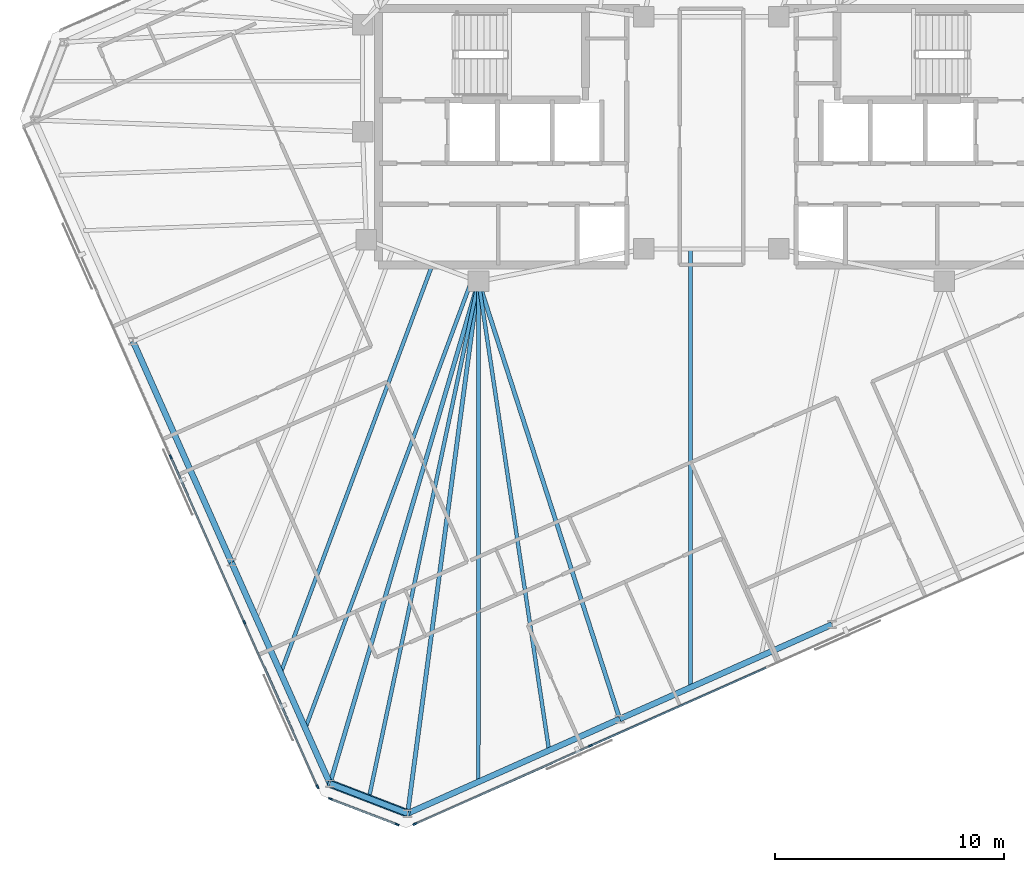
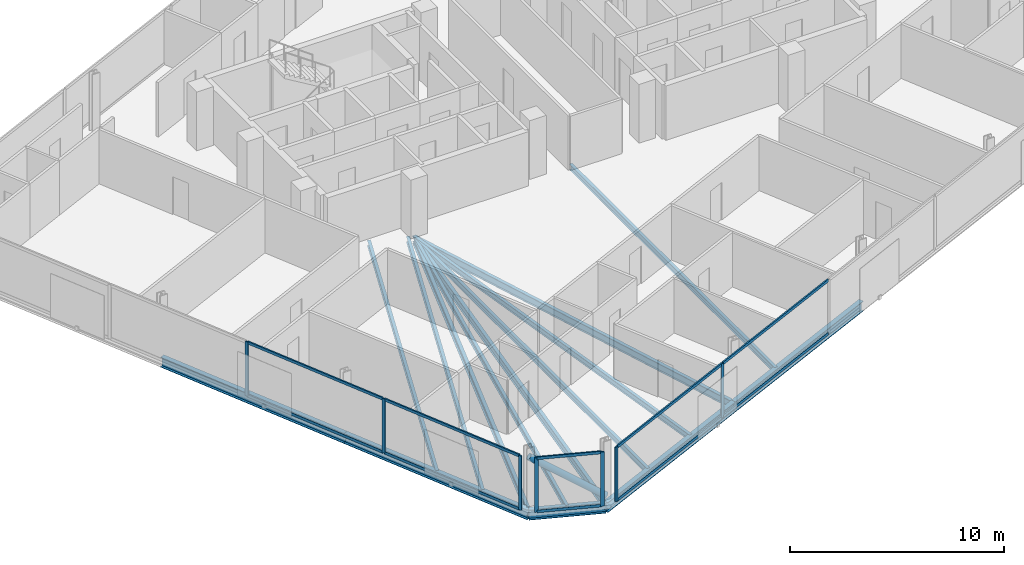
# One storey, part 5 of 18: 18 members, 14 beams, 3 elements without a shape of their own.
"""IFC4 building model written with IfcOpenShell, lengths in metres."""

from ifc_helpers import new_model, si_unit, direction, frame, origin, origin_2d, place, context, subcontext, project, spatial, rectangle, hollow_circle, i_section, extrude, material, material_profile, profile_set, type_object, element, aggregate, save


model = new_model("IFC4")

# Units and contexts
model_context = context("Model", 3, precision=1e-05, world=origin(), true_north=direction((0.0, 1.0)))
body_context = subcontext(model_context, "Body", "Model", "MODEL_VIEW")
ifc_project = project(units=[si_unit("LENGTHUNIT", "METRE"), si_unit("AREAUNIT", "SQUARE_METRE"), si_unit("VOLUMEUNIT", "CUBIC_METRE"), si_unit("PLANEANGLEUNIT", "RADIAN"), si_unit("MASSUNIT", "GRAM", prefix="KILO")], contexts=[model_context])

# Site, building, storey
site_placement = place(None, origin())
site = spatial("IfcSite", under=ifc_project, at=site_placement, CompositionType="ELEMENT")
building_placement = place(site_placement, origin())
building = spatial("IfcBuilding", under=site, at=building_placement, Name="Menara Jurai Vektor", CompositionType="ELEMENT")
storey_placement = place(building_placement, frame((0.0, 0.0, 272.25)))
storey = spatial("IfcBuildingStorey", under=building, at=storey_placement, Name="L73", CompositionType="ELEMENT", Elevation=272.25)

# Curtain wall, members
ifc_material_1 = material(Name="Anodised Pale Aluminium & Low-E Double Glazing", Category="aluminium")
curtain_wall_type = type_object("IfcCurtainWallType", Name="CW-BLK5", PredefinedType="NOTDEFINED", material=ifc_material_1)
curtain_wall_1_placement = place(storey_placement, origin())
curtain_wall_1 = element("IfcCurtainWall", 1, at=curtain_wall_1_placement, inside=storey, type_object=curtain_wall_type, Name="Unitised Curtain Wall L73 F01", PredefinedType="NOTDEFINED")
ifc_material_2 = material(Name="Anodised Pale Aluminium Mullion", Category="aluminium")
ifc_material_profile_1 = material_profile(ifc_material_2, rectangle(XDim=0.074951171875, YDim=0.175048828125, at=origin_2d()), Name="ALU MUL 75x175")
ifc_profile_set_1 = profile_set([ifc_material_profile_1], Name="Anodised Pale Aluminium Mullion")
member_type_1 = type_object("IfcMemberType", Name="CW-BLK5-MUL", PredefinedType="MULLION", material=ifc_profile_set_1)
member_1_placement = place(storey_placement, frame((-12.96875, -30.04052734375, 0.0), z_axis=(0.0, 0.0, 1.0), x_axis=(-0.406735498684, 0.913545967158, 0.0)))
member_1 = element("IfcMember", 2, at=member_1_placement, type_object=member_type_1, Name="CW-05 mullion 1", PredefinedType="MULLION", context=body_context, shape_type="SweptSolid", body=[
    extrude(rectangle(XDim=0.074951171875, YDim=0.175048828125, at=origin_2d()), origin(), (0.0, 0.0, 1.0), 3.10009765625),
])
member_2_placement = place(storey_placement, frame((-5.292724609375, -26.623046875, 0.0), z_axis=(0.0, 0.0, 1.0), x_axis=(-0.406735498684, 0.913545967158, 0.0)))
member_2 = element("IfcMember", 3, at=member_2_placement, type_object=member_type_1, Name="CW-05 mullion 2", PredefinedType="MULLION", context=body_context, shape_type="SweptSolid", body=[
    extrude(rectangle(XDim=0.074951171875, YDim=0.175048828125, at=origin_2d()), origin(), (0.0, 0.0, 1.0), 3.10009765625),
])

curtain_wall_2_placement = place(storey_placement, origin())
curtain_wall_2 = element("IfcCurtainWall", 4, at=curtain_wall_2_placement, inside=storey, type_object=curtain_wall_type, Name="Unitised Curtain Wall L73 F07", PredefinedType="NOTDEFINED")
member_3_placement = place(storey_placement, frame((-23.635986328125, -13.991943359375, 0.0), z_axis=(0.0, 0.0, 1.0), x_axis=(0.913546127706, 0.406735138086, 0.0)))
member_3 = element("IfcMember", 5, at=member_3_placement, type_object=member_type_1, Name="CW-05 mullion 3", PredefinedType="MULLION", context=body_context, shape_type="SweptSolid", body=[
    extrude(rectangle(XDim=0.074951171875, YDim=0.175048828125, at=origin_2d()), origin(), (0.0, 0.0, 1.0), 3.10009765625),
])
member_4_placement = place(storey_placement, frame((-20.418701171875, -21.21826171875, 0.0), z_axis=(0.0, 0.0, 1.0), x_axis=(0.913546127706, 0.406735138086, 0.0)))
member_4 = element("IfcMember", 6, at=member_4_placement, type_object=member_type_1, Name="CW-05 mullion 4", PredefinedType="MULLION", context=body_context, shape_type="SweptSolid", body=[
    extrude(rectangle(XDim=0.074951171875, YDim=0.175048828125, at=origin_2d()), origin(), (0.0, 0.0, 1.0), 3.10009765625),
])
member_5_placement = place(storey_placement, frame((-17.216796875, -28.41015625, 0.0), z_axis=(0.0, 0.0, 1.0), x_axis=(0.913546127706, 0.406735138086, 0.0)))
member_5 = element("IfcMember", 7, at=member_5_placement, type_object=member_type_1, Name="CW-05 mullion 5", PredefinedType="MULLION", context=body_context, shape_type="SweptSolid", body=[
    extrude(rectangle(XDim=0.074951171875, YDim=0.175048828125, at=origin_2d()), origin(), (0.0, 0.0, 1.0), 3.10009765625),
])

curtain_wall_3_placement = place(storey_placement, origin())
curtain_wall_3 = element("IfcCurtainWall", 8, at=curtain_wall_3_placement, inside=storey, type_object=curtain_wall_type, Name="Unitised Curtain Wall L73 F08", PredefinedType="NOTDEFINED")
member_6_placement = place(storey_placement, frame((-16.656982421875, -28.94091796875, 0.0), z_axis=(0.0, 0.0, 1.0), x_axis=(0.358373766287, 0.933578193639, 0.0)))
member_6 = element("IfcMember", 9, at=member_6_placement, type_object=member_type_1, Name="CW-05 mullion 1", PredefinedType="MULLION", context=body_context, shape_type="SweptSolid", body=[
    extrude(rectangle(XDim=0.074951171875, YDim=0.175048828125, at=origin_2d()), origin(), (0.0, 0.0, 1.0), 3.10009765625),
])
member_7_placement = place(storey_placement, frame((-13.739990234375, -30.060791015625, 0.0), z_axis=(0.0, 0.0, 1.0), x_axis=(0.358373766287, 0.933578193639, 0.0)))
member_7 = element("IfcMember", 10, at=member_7_placement, type_object=member_type_1, Name="CW-05 mullion 2", PredefinedType="MULLION", context=body_context, shape_type="SweptSolid", body=[
    extrude(rectangle(XDim=0.074951171875, YDim=0.175048828125, at=origin_2d()), origin(), (0.0, 0.0, 1.0), 3.10009765625),
])

# Member
ifc_material_3 = material(Name="Anodised Pale Aluminium Transom", Category="aluminium")
ifc_material_profile_2 = material_profile(ifc_material_3, rectangle(XDim=0.074951171875, YDim=0.155029296875, at=origin_2d()), Name="ALU TRN 75x155")
ifc_profile_set_2 = profile_set([ifc_material_profile_2], Name="Anodised Pale Aluminium Transom")
member_type_2 = type_object("IfcMemberType", Name="CW-BLK5-TRN", PredefinedType="USERDEFINED", material=ifc_profile_set_2)
member_8_placement = place(storey_placement, frame((-12.9345703125, -30.025390625, 0.03759765625), z_axis=(0.913542963736, 0.406742244436, 0.0), x_axis=(-0.406742244436, 0.913542963736, 0.0)))
member_8 = element("IfcMember", 11, at=member_8_placement, type_object=member_type_2, Name="CW-05 transom 1.1", ObjectType="TRANSOM", PredefinedType="USERDEFINED", context=body_context, shape_type="SweptSolid", body=[
    extrude(rectangle(XDim=0.074951171875, YDim=0.155029296875, at=origin_2d()), origin(), (0.0, 0.0, 1.0), 8.32763671875),
])

member_9_placement = place(storey_placement, frame((-12.9345703125, -30.025390625, 3.0625), z_axis=(0.913542963736, 0.406742244436, 0.0), x_axis=(-0.406742244436, 0.913542963736, 0.0)))
member_9 = element("IfcMember", 12, at=member_9_placement, type_object=member_type_2, Name="CW-05 transom 1.2", ObjectType="TRANSOM", PredefinedType="USERDEFINED", context=body_context, shape_type="SweptSolid", body=[
    extrude(rectangle(XDim=0.074951171875, YDim=0.155029296875, at=origin_2d()), origin(), (0.0, 0.0, 1.0), 8.32763671875),
])

member_10_placement = place(storey_placement, frame((-5.25830078125, -26.60791015625, 0.03759765625), z_axis=(0.913541747007, 0.406744977198, 0.0), x_axis=(-0.406744977198, 0.913541747007, 0.0)))
member_10 = element("IfcMember", 13, at=member_10_placement, type_object=member_type_2, Name="CW-05 transom 2.1", ObjectType="TRANSOM", PredefinedType="USERDEFINED", context=body_context, shape_type="SweptSolid", body=[
    extrude(rectangle(XDim=0.074951171875, YDim=0.155029296875, at=origin_2d()), origin(), (0.0, 0.0, 1.0), 8.36474609375),
])

member_11_placement = place(storey_placement, frame((-5.25830078125, -26.60791015625, 3.0625), z_axis=(0.913541747007, 0.406744977198, 0.0), x_axis=(-0.406744977198, 0.913541747007, 0.0)))
member_11 = element("IfcMember", 14, at=member_11_placement, type_object=member_type_2, Name="CW-05 transom 2.2", ObjectType="TRANSOM", PredefinedType="USERDEFINED", context=body_context, shape_type="SweptSolid", body=[
    extrude(rectangle(XDim=0.074951171875, YDim=0.155029296875, at=origin_2d()), origin(), (0.0, 0.0, 1.0), 8.36474609375),
])

aggregate(curtain_wall_1, [member_1, member_2, member_8, member_9, member_10, member_11])

member_12_placement = place(storey_placement, frame((-23.620849609375, -14.0263671875, 0.03759765625), z_axis=(0.40674264085, -0.913542787238, 0.0), x_axis=(0.913542787238, 0.40674264085, 0.0)))
member_12 = element("IfcMember", 15, at=member_12_placement, type_object=member_type_2, Name="CW-05 transom 3.1", ObjectType="TRANSOM", PredefinedType="USERDEFINED", context=body_context, shape_type="SweptSolid", body=[
    extrude(rectangle(XDim=0.074951171875, YDim=0.155029296875, at=origin_2d()), origin(), (0.0, 0.0, 1.0), 7.8349609375),
])

member_13_placement = place(storey_placement, frame((-23.620849609375, -14.0263671875, 3.0625), z_axis=(0.40674264085, -0.913542787238, 0.0), x_axis=(0.913542787238, 0.40674264085, 0.0)))
member_13 = element("IfcMember", 16, at=member_13_placement, type_object=member_type_2, Name="CW-05 transom 3.2", ObjectType="TRANSOM", PredefinedType="USERDEFINED", context=body_context, shape_type="SweptSolid", body=[
    extrude(rectangle(XDim=0.074951171875, YDim=0.155029296875, at=origin_2d()), origin(), (0.0, 0.0, 1.0), 7.8349609375),
])

member_14_placement = place(storey_placement, frame((-20.403564453125, -21.25244140625, 0.03759765625), z_axis=(0.406751345283, -0.913538911656, 0.0), x_axis=(0.913538911656, 0.406751345283, 0.0)))
member_14 = element("IfcMember", 17, at=member_14_placement, type_object=member_type_2, Name="CW-05 transom 4.1", ObjectType="TRANSOM", PredefinedType="USERDEFINED", context=body_context, shape_type="SweptSolid", body=[
    extrude(rectangle(XDim=0.074951171875, YDim=0.155029296875, at=origin_2d()), origin(), (0.0, 0.0, 1.0), 7.79736328125),
])

member_15_placement = place(storey_placement, frame((-20.403564453125, -21.25244140625, 3.0625), z_axis=(0.406751345283, -0.913538911656, 0.0), x_axis=(0.913538911656, 0.406751345283, 0.0)))
member_15 = element("IfcMember", 18, at=member_15_placement, type_object=member_type_2, Name="CW-05 transom 4.2", ObjectType="TRANSOM", PredefinedType="USERDEFINED", context=body_context, shape_type="SweptSolid", body=[
    extrude(rectangle(XDim=0.074951171875, YDim=0.155029296875, at=origin_2d()), origin(), (0.0, 0.0, 1.0), 7.79736328125),
])

aggregate(curtain_wall_2, [member_3, member_4, member_5, member_12, member_13, member_14, member_15])

member_16_placement = place(storey_placement, frame((-16.6220703125, -28.95458984375, 0.03759765625), z_axis=(0.933597094911, -0.358324523823, 0.0), x_axis=(0.358324523823, 0.933597094911, 0.0)))
member_16 = element("IfcMember", 19, at=member_16_placement, type_object=member_type_2, Name="CW-05 transom 1.1", ObjectType="TRANSOM", PredefinedType="USERDEFINED", context=body_context, shape_type="SweptSolid", body=[
    extrude(rectangle(XDim=0.074951171875, YDim=0.155029296875, at=origin_2d()), origin(), (0.0, 0.0, 1.0), 3.049560546875),
])

member_17_placement = place(storey_placement, frame((-16.6220703125, -28.95458984375, 3.0625), z_axis=(0.933597094911, -0.358324523823, 0.0), x_axis=(0.358324523823, 0.933597094911, 0.0)))
member_17 = element("IfcMember", 20, at=member_17_placement, type_object=member_type_2, Name="CW-05 transom 1.2", ObjectType="TRANSOM", PredefinedType="USERDEFINED", context=body_context, shape_type="SweptSolid", body=[
    extrude(rectangle(XDim=0.074951171875, YDim=0.155029296875, at=origin_2d()), origin(), (0.0, 0.0, 1.0), 3.049560546875),
])

aggregate(curtain_wall_3, [member_6, member_7, member_16, member_17])

# Beams
ifc_material_4 = material(Name="Steel S355", Category="steel")
ifc_material_profile_3 = material_profile(ifc_material_4, i_section(OverallWidth=0.18505859375, OverallDepth=0.429931640625, WebThickness=0.010986328125, FlangeThickness=0.01806640625, at=origin_2d()), Name="PG 430x185x76")
ifc_profile_set_3 = profile_set([ifc_material_profile_3], Name="Steel S355")
beam_type_1 = type_object("IfcBeamType", Name="STR-BM-430", PredefinedType="BEAM", material=ifc_profile_set_3)
beam_1_placement = place(storey_placement, frame((-13.279541015625, -29.576904296875, -0.43994140625), z_axis=(0.132109192855, 0.991235169454, 0.0), x_axis=(-0.991235169454, 0.132109192855, 0.0)))
element("IfcBeam", 21, at=beam_1_placement, inside=storey, type_object=beam_type_1, Name="Radial Floor Girder L73-S1", PredefinedType="BEAM", context=body_context, shape_type="SweptSolid", body=[
    extrude(i_section(OverallWidth=0.18505859375, OverallDepth=0.429931640625, WebThickness=0.010986328125, FlangeThickness=0.01806640625, at=origin_2d()), origin(), (0.0, 0.0, 1.0), 23.46240234375),
])
beam_2_placement = place(storey_placement, frame((-4.006103515625, -25.4482421875, -0.43994140625), z_axis=(-0.307158217721, 0.95165846252, 0.0), x_axis=(-0.95165846252, -0.307158217721, 0.0)))
element("IfcBeam", 22, at=beam_2_placement, inside=storey, type_object=beam_type_1, Name="Radial Floor Girder L73-S2", PredefinedType="BEAM", context=body_context, shape_type="SweptSolid", body=[
    extrude(i_section(OverallWidth=0.18505859375, OverallDepth=0.429931640625, WebThickness=0.010986328125, FlangeThickness=0.01806640625, at=origin_2d()), origin(), (0.0, 0.0, 1.0), 20.099853515625),
])
beam_3_placement = place(storey_placement, frame((-16.675537109375, -28.2734375, -0.43994140625), z_axis=(0.283723047838, 0.958906268686, 0.0), x_axis=(-0.958906268686, 0.283723047838, 0.0)))
element("IfcBeam", 23, at=beam_3_placement, inside=storey, type_object=beam_type_1, Name="Radial Floor Girder L73-W4", PredefinedType="BEAM", context=body_context, shape_type="SweptSolid", body=[
    extrude(i_section(OverallWidth=0.18505859375, OverallDepth=0.429931640625, WebThickness=0.010986328125, FlangeThickness=0.01806640625, at=origin_2d()), origin(), (0.0, 0.0, 1.0), 22.894287109375),
])

# Member
ifc_material_5 = material(Name="Steel S460", Category="steel")
ifc_material_profile_4 = material_profile(ifc_material_5, hollow_circle(Radius=0.177734375, WallThickness=0.01611328125, at=origin_2d()), Name="CHS 355.6x16")
ifc_profile_set_4 = profile_set([ifc_material_profile_4], Name="Steel S460")
member_type_3 = type_object("IfcMemberType", Name="STR-BR-356", PredefinedType="BRACE", material=ifc_profile_set_4)
member_18_placement = place(storey_placement, frame((-13.279541015625, -29.576904296875, 0.14990234375), z_axis=(-0.759513595687, 0.291519991903, 0.581511128258), x_axis=(-0.358335850414, -0.933592747566, 0.0)))
element("IfcMember", 24, at=member_18_placement, inside=storey, type_object=member_type_3, Name="Exoskeleton Corner Brace L73-4", PredefinedType="BRACE", context=body_context, shape_type="SweptSolid", body=[
    extrude(hollow_circle(Radius=0.177734375, WallThickness=0.01611328125, at=origin_2d()), origin(), (0.0, 0.0, 1.0), 4.47119140625),
])

# Beams
ifc_material_profile_5 = material_profile(ifc_material_4, i_section(OverallWidth=0.1650390625, OverallDepth=0.330078125, WebThickness=0.009033203125, FlangeThickness=0.013916015625, at=origin_2d()), Name="PG 330x165x46")
ifc_profile_set_5 = profile_set([ifc_material_profile_5], Name="Steel S355")
beam_type_2 = type_object("IfcBeamType", Name="STR-JS-330", PredefinedType="JOIST", material=ifc_profile_set_5)
beam_4_placement = place(storey_placement, frame((-10.188232421875, -28.20068359375, -0.389892578125), z_axis=(0.000379366876, 0.99999992804, 0.0), x_axis=(-0.99999992804, 0.000379366876, 0.0)))
element("IfcBeam", 25, at=beam_4_placement, inside=storey, type_object=beam_type_2, Name="Radial Secondary Floor Joist L73-JS01", PredefinedType="JOIST", context=body_context, shape_type="SweptSolid", body=[
    extrude(i_section(OverallWidth=0.1650390625, OverallDepth=0.330078125, WebThickness=0.009033203125, FlangeThickness=0.013916015625, at=origin_2d()), origin(), (0.0, 0.0, 1.0), 21.880615234375),
])
beam_5_placement = place(storey_placement, frame((-7.09716796875, -26.824462890625, -0.389892578125), z_axis=(-0.148675540239, 0.988886031722, 0.0), x_axis=(-0.988886031722, -0.148675540239, 0.0)))
element("IfcBeam", 26, at=beam_5_placement, inside=storey, type_object=beam_type_2, Name="Radial Secondary Floor Joist L73-JS02", PredefinedType="JOIST", context=body_context, shape_type="SweptSolid", body=[
    extrude(i_section(OverallWidth=0.1650390625, OverallDepth=0.330078125, WebThickness=0.009033203125, FlangeThickness=0.013916015625, at=origin_2d()), origin(), (0.0, 0.0, 1.0), 20.73486328125),
])
beam_6_placement = place(storey_placement, frame((-0.914794921875, -24.072021484375, -0.389892578125), z_axis=(0.0, 1.0, 0.0), x_axis=(-1.0, 0.0, 0.0)))
element("IfcBeam", 27, at=beam_6_placement, inside=storey, type_object=beam_type_2, Name="Radial Secondary Floor Joist L73-JS03", PredefinedType="JOIST", context=body_context, shape_type="SweptSolid", body=[
    extrude(i_section(OverallWidth=0.1650390625, OverallDepth=0.330078125, WebThickness=0.009033203125, FlangeThickness=0.013916015625, at=origin_2d()), origin(), (0.0, 0.0, 1.0), 19.172119140625),
])
beam_7_placement = place(storey_placement, frame((-18.828125, -23.4384765625, -0.389892578125), z_axis=(0.348177845571, 0.937428497462, 0.0), x_axis=(-0.937428497462, 0.348177845571, 0.0)))
element("IfcBeam", 28, at=beam_7_placement, inside=storey, type_object=beam_type_2, Name="Radial Secondary Floor Joist L73-JS29", PredefinedType="JOIST", context=body_context, shape_type="SweptSolid", body=[
    extrude(i_section(OverallWidth=0.1650390625, OverallDepth=0.330078125, WebThickness=0.009033203125, FlangeThickness=0.013916015625, at=origin_2d()), origin(), (0.0, 0.0, 1.0), 19.05859375),
])
beam_8_placement = place(storey_placement, frame((-17.751953125, -25.85595703125, -0.389892578125), z_axis=(0.348185651823, 0.937425598042, 0.0), x_axis=(-0.937425598042, 0.348185651823, 0.0)))
element("IfcBeam", 29, at=beam_8_placement, inside=storey, type_object=beam_type_2, Name="Radial Secondary Floor Joist L73-JS30", PredefinedType="JOIST", context=body_context, shape_type="SweptSolid", body=[
    extrude(i_section(OverallWidth=0.1650390625, OverallDepth=0.330078125, WebThickness=0.009033203125, FlangeThickness=0.013916015625, at=origin_2d()), origin(), (0.0, 0.0, 1.0), 20.949951171875),
])
beam_9_placement = place(storey_placement, frame((-14.9775390625, -28.92529296875, -0.389892578125), z_axis=(0.207610208592, 0.978211634202, 0.0), x_axis=(-0.978211634202, 0.207610208592, 0.0)))
element("IfcBeam", 30, at=beam_9_placement, inside=storey, type_object=beam_type_2, Name="Radial Secondary Floor Joist L73-JS31", PredefinedType="JOIST", context=body_context, shape_type="SweptSolid", body=[
    extrude(i_section(OverallWidth=0.1650390625, OverallDepth=0.330078125, WebThickness=0.009033203125, FlangeThickness=0.013916015625, at=origin_2d()), origin(), (0.0, 0.0, 1.0), 23.108642578125),
])
ifc_material_profile_6 = material_profile(ifc_material_4, i_section(OverallWidth=0.260009765625, OverallDepth=0.570068359375, WebThickness=0.013916015625, FlangeThickness=0.02392578125, at=origin_2d()), Name="PG 570x260x145")
ifc_profile_set_6 = profile_set([ifc_material_profile_6], Name="Steel S355")
beam_type_3 = type_object("IfcBeamType", Name="STR-SP-570", PredefinedType="SPANDREL", material=ifc_profile_set_6)
beam_10_placement = place(storey_placement, frame((-13.279541015625, -29.576904296875, -0.510009765625), z_axis=(0.913550519143, 0.406725274569, 0.0), x_axis=(-0.406725274569, 0.913550519143, 0.0)))
element("IfcBeam", 31, at=beam_10_placement, inside=storey, type_object=beam_type_3, Name="Exoskeleton Spandrel Beam L73-01", PredefinedType="SPANDREL", context=body_context, shape_type="SweptSolid", body=[
    extrude(i_section(OverallWidth=0.260009765625, OverallDepth=0.570068359375, WebThickness=0.013916015625, FlangeThickness=0.02392578125, at=origin_2d()), origin(), (0.0, 0.0, 1.0), 10.15087890625),
])
beam_11_placement = place(storey_placement, frame((-4.006103515625, -25.4482421875, -0.510009765625), z_axis=(0.913545561407, 0.406736410017, 0.0), x_axis=(-0.406736410017, 0.913545561407, 0.0)))
element("IfcBeam", 32, at=beam_11_placement, inside=storey, type_object=beam_type_3, Name="Exoskeleton Spandrel Beam L73-02", PredefinedType="SPANDREL", context=body_context, shape_type="SweptSolid", body=[
    extrude(i_section(OverallWidth=0.260009765625, OverallDepth=0.570068359375, WebThickness=0.013916015625, FlangeThickness=0.02392578125, at=origin_2d()), origin(), (0.0, 0.0, 1.0), 10.1513671875),
])
for number, where, z_axis, x_axis, name in (
    (33, (-25.286376953125, -8.933349609375, -0.510009765625), (0.406744000616, -0.913542181819, 0.0), (0.913542181819, 0.406744000616, 0.0), "Exoskeleton Spandrel Beam L73-18"),
    (34, (-20.98095703125, -18.603271484375, -0.510009765625), (0.40673543049, -0.91354599752, 0.0), (0.91354599752, 0.40673543049, 0.0), "Exoskeleton Spandrel Beam L73-19"),
):
    element("IfcBeam", number, at=place(storey_placement, frame(where, z_axis=z_axis, x_axis=x_axis)), inside=storey, type_object=beam_type_3, Name=name, PredefinedType="SPANDREL", context=body_context, shape_type="SweptSolid", body=[
        extrude(i_section(OverallWidth=0.260009765625, OverallDepth=0.570068359375, WebThickness=0.013916015625, FlangeThickness=0.02392578125, at=origin_2d()), origin(), (0.0, 0.0, 1.0), 10.585205078125),
    ])
beam_12_placement = place(storey_placement, frame((-16.675537109375, -28.2734375, -0.510009765625), z_axis=(0.933592747566, -0.358335850414, 0.0), x_axis=(0.358335850414, 0.933592747566, 0.0)))
element("IfcBeam", 35, at=beam_12_placement, inside=storey, type_object=beam_type_3, Name="Exoskeleton Spandrel Beam L73-20", PredefinedType="SPANDREL", context=body_context, shape_type="SweptSolid", body=[
    extrude(i_section(OverallWidth=0.260009765625, OverallDepth=0.570068359375, WebThickness=0.013916015625, FlangeThickness=0.02392578125, at=origin_2d()), origin(), (0.0, 0.0, 1.0), 3.637451171875),
])

save(model, "model.ifc")
